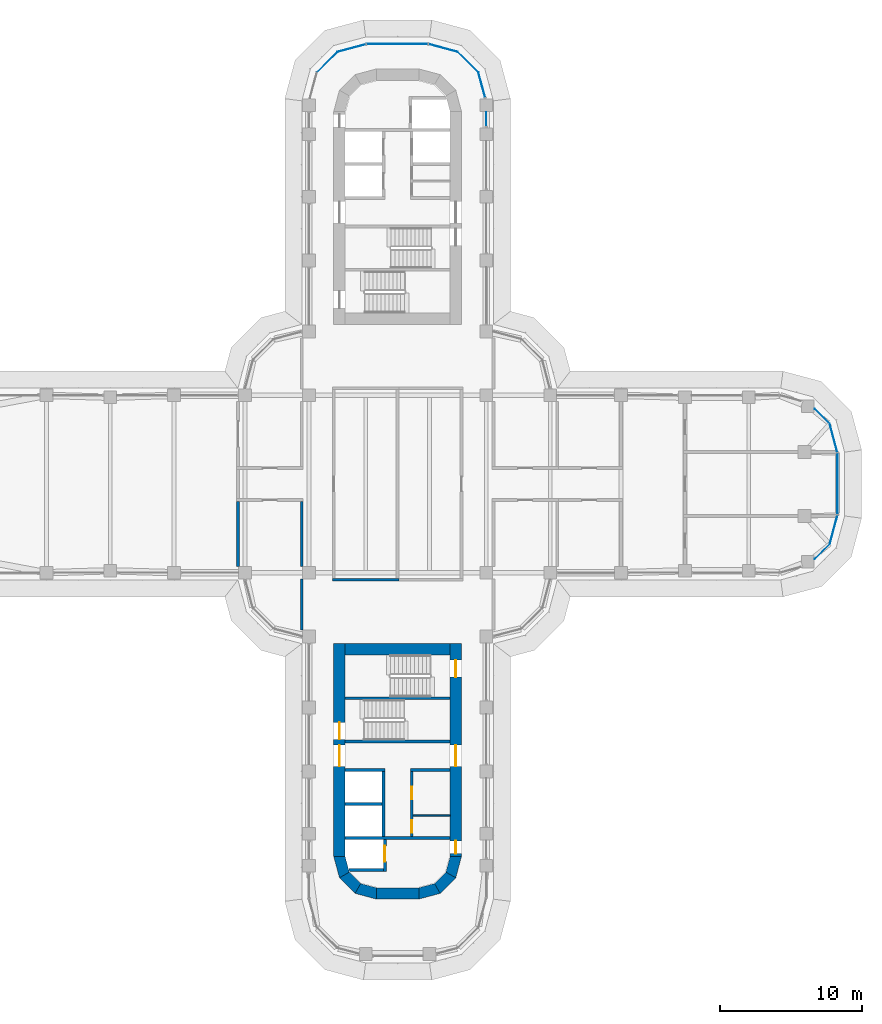
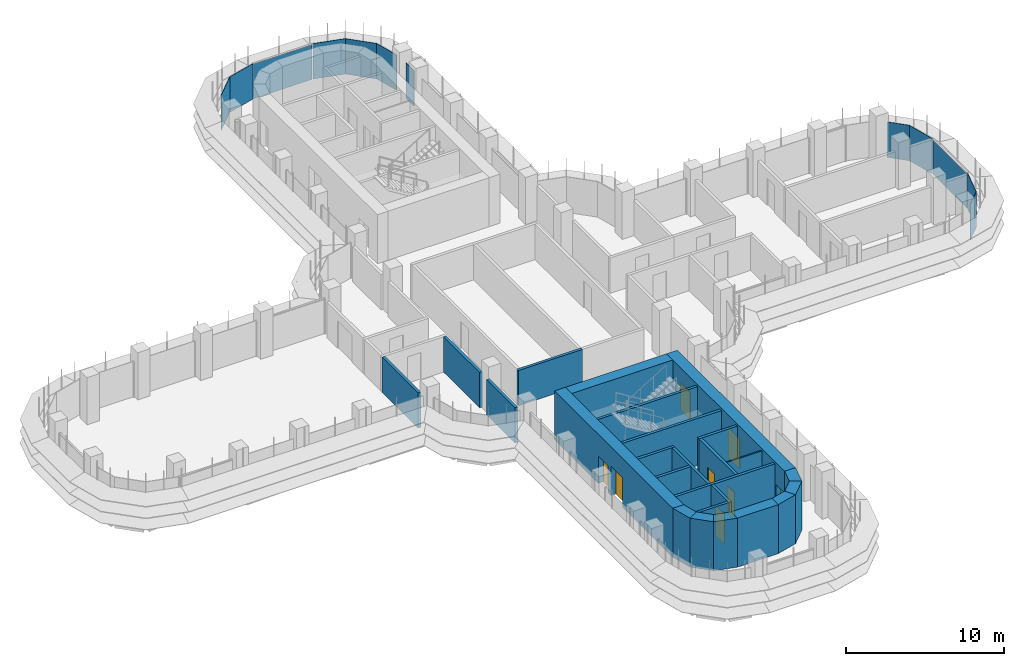
# One storey, part 15 of 21: 25 walls, 12 plates, 8 doors, 8 openings, 12 elements without a shape of their own.
"""IFC4 building model written with IfcOpenShell, lengths in metres."""

from ifc_helpers import new_model, si_unit, direction, frame, frame_2d, origin, place, context, subcontext, project, spatial, polyline, rectangle, outline, extrude, source, transform, mapped, material, layer, layer_set, type_object, element, fill, aggregate, save


model = new_model("IFC4")

# Units and contexts
model_context = context("Model", 3, precision=1e-05, world=origin(), true_north=direction((0.0, 1.0)))
body_context = subcontext(model_context, "Body", "Model", "MODEL_VIEW")
ifc_project = project(units=[si_unit("LENGTHUNIT", "METRE"), si_unit("AREAUNIT", "SQUARE_METRE"), si_unit("VOLUMEUNIT", "CUBIC_METRE"), si_unit("PLANEANGLEUNIT", "RADIAN"), si_unit("MASSUNIT", "GRAM", prefix="KILO")], contexts=[model_context])

# Site, building, storey
site_placement = place(None, origin())
site = spatial("IfcSite", under=ifc_project, at=site_placement, CompositionType="ELEMENT")
building_placement = place(site_placement, origin())
building = spatial("IfcBuilding", under=site, at=building_placement, Name="Zarbagh Exchange Tower", CompositionType="ELEMENT")
storey_placement = place(building_placement, frame((0.0, 0.0, 128.39990234375)))
storey = spatial("IfcBuildingStorey", under=building, at=storey_placement, Name="L30", CompositionType="ELEMENT", Elevation=128.39990234375)

# Curtain wall, plate
ifc_material_1 = material(Name="Anodised aluminium frame and glazing", Category="aluminium")
curtain_wall_type = type_object("IfcCurtainWallType", Name="CWA Ribbon glazing, lower zones", PredefinedType="NOTDEFINED", material=ifc_material_1)
curtain_wall_1_placement = place(storey_placement, origin())
curtain_wall_1 = element("IfcCurtainWall", 1, at=curtain_wall_1_placement, inside=storey, type_object=curtain_wall_type, Name="CWA51 curtain wall", PredefinedType="NOTDEFINED")
ifc_material_2 = material(Name="Low-e double glazed unit, 6+12+6 mm")
ifc_layer_1 = layer(ifc_material_2, 0.028076171875)
ifc_layer_set_1 = layer_set([ifc_layer_1], Name="PAA Glazing panel, Low-e double glazed unit, 6+12+6 mm")
plate_type = type_object("IfcPlateType", Name="PAA Glazing panel, Low-e double glazed unit, 6+12+6 mm", PredefinedType="CURTAIN_PANEL", material=ifc_layer_set_1)
shared_shape_1 = source(origin(), body_context, "Body", "SweptSolid", [
    extrude(outline(polyline([(0.0, -0.013916015625), (2.061279296875, -0.013916015625), (2.061279296875, 0.013916015625), (0.0, 0.013916015625), (0.0, -0.013916015625)])), origin(), (0.0, 0.0, 1.0), 2.75),
])
placement = place(storey_placement, origin())
plate_1 = element("IfcPlate", 2, at=placement, type_object=plate_type, Name="CWA51 glazing panel 1.1", PredefinedType="CURTAIN_PANEL", context=body_context, shape_type="MappedRepresentation", body=[
    mapped(shared_shape_1, transform((5.69873046875, 28.9912109375, 0.0), x_axis=(-0.707106781187, 0.707106781187, 0.0), y_axis=(-0.707106781187, -0.707106781187, 0.0), z_axis=(0.0, 0.0, 1.0))),
])
aggregate(curtain_wall_1, [plate_1])

curtain_wall_2_placement = place(storey_placement, origin())
curtain_wall_2 = element("IfcCurtainWall", 3, at=curtain_wall_2_placement, inside=storey, type_object=curtain_wall_type, Name="CWA54 curtain wall", PredefinedType="NOTDEFINED")
plate_2 = element("IfcPlate", 4, at=placement, type_object=plate_type, Name="CWA54 glazing panel 1.1", PredefinedType="CURTAIN_PANEL", context=body_context, shape_type="MappedRepresentation", body=[
    mapped(shared_shape_1, transform((-4.2412109375, 30.44873046875, 0.0), x_axis=(-0.707106781187, -0.707106781187, 0.0), y_axis=(0.707106781187, -0.707106781187, 0.0), z_axis=(0.0, 0.0, 1.0))),
])
aggregate(curtain_wall_2, [plate_2])

curtain_wall_3_placement = place(storey_placement, origin())
curtain_wall_3 = element("IfcCurtainWall", 5, at=curtain_wall_3_placement, inside=storey, type_object=curtain_wall_type, Name="CWA61 curtain wall", PredefinedType="NOTDEFINED")
shared_shape_2 = source(origin(), body_context, "Body", "SweptSolid", [
    extrude(outline(polyline([(0.0, -0.013916015625), (2.129638671875, -0.013916015625), (2.129638671875, 0.013916015625), (0.0, 0.013916015625), (0.0, -0.013916015625)])), origin(), (0.0, 0.0, 1.0), 2.75),
])
plate_3 = element("IfcPlate", 6, at=placement, type_object=plate_type, Name="CWA61 glazing panel 1.1", PredefinedType="CURTAIN_PANEL", context=body_context, shape_type="MappedRepresentation", body=[
    mapped(shared_shape_2, transform((30.44873046875, -4.2412109375, 0.0), x_axis=(0.258824779902, 0.965924289636, 0.0), y_axis=(-0.965924289636, 0.258824779902, 0.0), z_axis=(0.0, 0.0, 1.0))),
])
aggregate(curtain_wall_3, [plate_3])

curtain_wall_4_placement = place(storey_placement, origin())
curtain_wall_4 = element("IfcCurtainWall", 7, at=curtain_wall_4_placement, inside=storey, type_object=curtain_wall_type, Name="CWA52 curtain wall", PredefinedType="NOTDEFINED")
plate_4 = element("IfcPlate", 8, at=placement, type_object=plate_type, Name="CWA52 glazing panel 1.1", PredefinedType="CURTAIN_PANEL", context=body_context, shape_type="MappedRepresentation", body=[
    mapped(shared_shape_2, transform((4.2412109375, 30.44873046875, 0.0), x_axis=(-0.965924289636, 0.258824779902, 0.0), y_axis=(-0.258824779902, -0.965924289636, 0.0), z_axis=(0.0, 0.0, 1.0))),
])
aggregate(curtain_wall_4, [plate_4])

curtain_wall_5_placement = place(storey_placement, origin())
curtain_wall_5 = element("IfcCurtainWall", 9, at=curtain_wall_5_placement, inside=storey, type_object=curtain_wall_type, Name="CWA62 curtain wall", PredefinedType="NOTDEFINED")
shared_shape_3 = source(origin(), body_context, "Body", "SweptSolid", [
    extrude(outline(polyline([(0.0, -0.013916015625), (2.069580078125, -0.013916015625), (2.069580078125, 0.013916015625), (0.0, 0.013916015625), (0.0, -0.013916015625)])), origin(), (0.0, 0.0, 1.0), 2.75),
])
plate_5 = element("IfcPlate", 10, at=placement, type_object=plate_type, Name="CWA62 glazing panel 1.1", PredefinedType="CURTAIN_PANEL", context=body_context, shape_type="MappedRepresentation", body=[
    mapped(shared_shape_3, transform((30.984375, 2.2421875, 0.0), x_axis=(-0.258824779902, 0.965924289636, 0.0), y_axis=(-0.965924289636, -0.258824779902, 0.0), z_axis=(0.0, 0.0, 1.0))),
])
aggregate(curtain_wall_5, [plate_5])

curtain_wall_6_placement = place(storey_placement, origin())
curtain_wall_6 = element("IfcCurtainWall", 11, at=curtain_wall_6_placement, inside=storey, type_object=curtain_wall_type, Name="CWA53 curtain wall", PredefinedType="NOTDEFINED")
plate_6 = element("IfcPlate", 12, at=placement, type_object=plate_type, Name="CWA53 glazing panel 1.1", PredefinedType="CURTAIN_PANEL", context=body_context, shape_type="MappedRepresentation", body=[
    mapped(shared_shape_3, transform((-2.2421875, 30.984375, 0.0), x_axis=(-0.965924289636, -0.258824779902, 0.0), y_axis=(0.258824779902, -0.965924289636, 0.0), z_axis=(0.0, 0.0, 1.0))),
])
aggregate(curtain_wall_6, [plate_6])

curtain_wall_7_placement = place(storey_placement, origin())
curtain_wall_7 = element("IfcCurtainWall", 13, at=curtain_wall_7_placement, inside=storey, type_object=curtain_wall_type, Name="CWA49 curtain wall", PredefinedType="NOTDEFINED")
shared_shape_4 = source(origin(), body_context, "Body", "SweptSolid", [
    extrude(outline(polyline([(0.0, -0.013916015625), (1.010009765625, -0.013916015625), (1.010009765625, 0.013916015625), (0.0, 0.013916015625), (0.0, -0.013916015625)])), origin(), (0.0, 0.0, 1.0), 2.75),
])
plate_7 = element("IfcPlate", 14, at=placement, type_object=plate_type, Name="CWA49 glazing panel 4.1", PredefinedType="CURTAIN_PANEL", context=body_context, shape_type="MappedRepresentation", body=[
    mapped(shared_shape_4, transform((6.25, 25.199951171875, 0.0), x_axis=(0.0, 1.0, 0.0), y_axis=(-1.0, 0.0, 0.0), z_axis=(0.0, 0.0, 1.0))),
])
aggregate(curtain_wall_7, [plate_7])

curtain_wall_8_placement = place(storey_placement, origin())
curtain_wall_8 = element("IfcCurtainWall", 15, at=curtain_wall_8_placement, inside=storey, type_object=curtain_wall_type, Name="CWA50 curtain wall", PredefinedType="NOTDEFINED")
shared_shape_5 = source(origin(), body_context, "Body", "SweptSolid", [
    extrude(outline(polyline([(0.0, -0.013916015625), (1.8046875, -0.013916015625), (1.8046875, 0.013916015625), (0.0, 0.013916015625), (0.0, -0.013916015625)])), origin(), (0.0, 0.0, 1.0), 2.75),
])
plate_8 = element("IfcPlate", 16, at=placement, type_object=plate_type, Name="CWA50 glazing panel 1.1", PredefinedType="CURTAIN_PANEL", context=body_context, shape_type="MappedRepresentation", body=[
    mapped(shared_shape_5, transform((6.166015625, 27.248046875, 0.0), x_axis=(-0.258824779902, 0.965924289636, 0.0), y_axis=(-0.965924289636, -0.258824779902, 0.0), z_axis=(0.0, 0.0, 1.0))),
])
aggregate(curtain_wall_8, [plate_8])

curtain_wall_9_placement = place(storey_placement, origin())
curtain_wall_9 = element("IfcCurtainWall", 17, at=curtain_wall_9_placement, inside=storey, type_object=curtain_wall_type, Name="CWA66 curtain wall", PredefinedType="NOTDEFINED")
shared_shape_6 = source(origin(), body_context, "Body", "SweptSolid", [
    extrude(outline(polyline([(0.0, -0.013916015625), (4.308349609375, -0.013916015625), (4.308349609375, 0.013916015625), (0.0, 0.013916015625), (0.0, -0.013916015625)])), origin(), (0.0, 0.0, 1.0), 2.68994140625),
])
plate_9 = element("IfcPlate", 18, at=placement, type_object=plate_type, Name="CWA66 glazing panel 1.1", PredefinedType="CURTAIN_PANEL", context=body_context, shape_type="MappedRepresentation", body=[
    mapped(shared_shape_6, transform((31.0, -2.124267578125, 0.0), x_axis=(0.0, 1.0, 0.0), y_axis=(-1.0, 0.0, 0.0), z_axis=(0.0, 0.0, 1.0))),
])
aggregate(curtain_wall_9, [plate_9])

curtain_wall_10_placement = place(storey_placement, origin())
curtain_wall_10 = element("IfcCurtainWall", 19, at=curtain_wall_10_placement, inside=storey, type_object=curtain_wall_type, Name="CWA57 curtain wall", PredefinedType="NOTDEFINED")
plate_10 = element("IfcPlate", 20, at=placement, type_object=plate_type, Name="CWA57 glazing panel 1.1", PredefinedType="CURTAIN_PANEL", context=body_context, shape_type="MappedRepresentation", body=[
    mapped(shared_shape_6, transform((2.124267578125, 31.0, 0.0), x_axis=(-1.0, 0.0, 0.0), y_axis=(0.0, -1.0, 0.0), z_axis=(0.0, 0.0, 1.0))),
])
aggregate(curtain_wall_10, [plate_10])

curtain_wall_11_placement = place(storey_placement, origin())
curtain_wall_11 = element("IfcCurtainWall", 21, at=curtain_wall_11_placement, inside=storey, type_object=curtain_wall_type, Name="CWA60 curtain wall", PredefinedType="NOTDEFINED")
shared_shape_7 = source(origin(), body_context, "Body", "SweptSolid", [
    extrude(outline(polyline([(0.0, -0.013916015625), (1.486083984375, -0.013916015625), (1.486083984375, 0.013916015625), (0.0, 0.013916015625), (0.0, -0.013916015625)])), origin(), (0.0, 0.0, 1.0), 2.75),
])
plate_11 = element("IfcPlate", 22, at=placement, type_object=plate_type, Name="CWA60 glazing panel 1.1", PredefinedType="CURTAIN_PANEL", context=body_context, shape_type="MappedRepresentation", body=[
    mapped(shared_shape_7, transform((29.39794921875, -5.2919921875, 0.0), x_axis=(0.707106781187, 0.707106781187, 0.0), y_axis=(-0.707106781187, 0.707106781187, 0.0), z_axis=(0.0, 0.0, 1.0))),
])
aggregate(curtain_wall_11, [plate_11])

curtain_wall_12_placement = place(storey_placement, origin())
curtain_wall_12 = element("IfcCurtainWall", 23, at=curtain_wall_12_placement, inside=storey, type_object=curtain_wall_type, Name="CWA63 curtain wall", PredefinedType="NOTDEFINED")
plate_12 = element("IfcPlate", 24, at=placement, type_object=plate_type, Name="CWA63 glazing panel 1.1", PredefinedType="CURTAIN_PANEL", context=body_context, shape_type="MappedRepresentation", body=[
    mapped(shared_shape_7, transform((30.44873046875, 4.2412109375, 0.0), x_axis=(-0.707106781187, 0.707106781187, 0.0), y_axis=(-0.707106781187, -0.707106781187, 0.0), z_axis=(0.0, 0.0, 1.0))),
])
aggregate(curtain_wall_12, [plate_12])

# Walls
ifc_material_3 = material(Name="Dense blockwork", Category="masonry")
ifc_layer_2 = layer(ifc_material_3, 0.10009765625)
ifc_layer_set_2 = layer_set([ifc_layer_2], Name="Core partition 100 mm blockwork")
wall_type_1 = type_object("IfcWallType", Name="Core partition 100 mm blockwork", PredefinedType="PARTITIONING", material=ifc_layer_set_2)
wall_1_placement = place(storey_placement, frame((3.699951171875, -23.35009765625, 0.0), z_axis=(0.0, 0.0, 1.0), x_axis=(-1.0, 0.0, 0.0)))
element("IfcWall", 25, at=wall_1_placement, inside=storey, type_object=wall_type_1, Name="South core partition wall CUT-W-500", PredefinedType="PARTITIONING", context=body_context, shape_type="SweptSolid", body=[
    extrude(rectangle(XDim=2.599853515625, YDim=0.10009765625, at=frame_2d((1.2998046875, 0.0))), origin(), (0.0, 0.0, 1.0), 3.650146484375),
])
ifc_material_4 = material(Name="Fire-rated plasterboard partition")
ifc_layer_3 = layer(ifc_material_4, 0.199951171875)
ifc_layer_set_3 = layer_set([ifc_layer_3], Name="RATED PARTITION 200")
wall_type_2 = type_object("IfcWallType", Name="RATED PARTITION 200", PredefinedType="PARTITIONING", material=ifc_layer_set_3)
wall_2_placement = place(storey_placement, frame((-6.75, -10.300048828125, 0.0), z_axis=(0.0, 0.0, 1.0), x_axis=(0.0, 1.0, 0.0)))
element("IfcWall", 26, at=wall_2_placement, inside=storey, type_object=wall_type_2, Name="Partition W-1204", PredefinedType="PARTITIONING", context=body_context, shape_type="SweptSolid", body=[
    extrude(rectangle(XDim=3.60009765625, YDim=0.199951171875, at=frame_2d((1.800048828125, 0.0))), origin(), (0.0, 0.0, 1.0), 2.73828125),
])
wall_3_placement = place(storey_placement, frame((-6.75, -5.800048828125, 0.0), z_axis=(0.0, 0.0, 1.0), x_axis=(0.0, 1.0, 0.0)))
element("IfcWall", 27, at=wall_3_placement, inside=storey, type_object=wall_type_2, Name="Partition W-1205", PredefinedType="PARTITIONING", context=body_context, shape_type="SweptSolid", body=[
    extrude(rectangle(XDim=4.574951171875, YDim=0.199951171875, at=frame_2d((2.28759765625, 0.0))), origin(), (0.0, 0.0, 1.0), 2.73828125),
])
wall_4_placement = place(storey_placement, frame((-4.60009765625, -6.75, 0.0), z_axis=(0.0, 0.0, 1.0), x_axis=(1.0, 0.0, 0.0)))
element("IfcWall", 28, at=wall_4_placement, inside=storey, type_object=wall_type_2, Name="Partition W-1213", PredefinedType="PARTITIONING", context=body_context, shape_type="SweptSolid", body=[
    extrude(rectangle(XDim=4.7001953125, YDim=0.199951171875, at=frame_2d((2.35009765625, 0.0))), origin(), (0.0, 0.0, 1.0), 2.73828125),
])
wall_5_placement = place(storey_placement, frame((-11.25, -5.800048828125, 0.0), z_axis=(0.0, 0.0, 1.0), x_axis=(0.0, 1.0, 0.0)))
element("IfcWall", 29, at=wall_5_placement, inside=storey, type_object=wall_type_2, Name="Partition W-1235", PredefinedType="PARTITIONING", context=body_context, shape_type="SweptSolid", body=[
    extrude(rectangle(XDim=4.574951171875, YDim=0.199951171875, at=frame_2d((2.28759765625, 0.0))), origin(), (0.0, 0.0, 1.0), 2.73828125),
])
ifc_material_5 = material(Name="Concrete C60/75", Category="concrete")
ifc_layer_4 = layer(ifc_material_5, 0.800048828125)
ifc_layer_set_4 = layer_set([ifc_layer_4], Name="RC core corner wall 800 C60/75")
wall_type_3 = type_object("IfcWallType", Name="RC core corner wall 800 C60/75", PredefinedType="SHEAR", material=ifc_layer_set_4)
wall_6_placement = place(storey_placement, origin())
element("IfcWall", 30, at=wall_6_placement, inside=storey, type_object=wall_type_3, Name="CW4 core S corner W", PredefinedType="SHEAR", context=body_context, shape_type="SweptSolid", body=[
    extrude(outline(polyline([(-4.5, -26.25), (-4.09814453125, -27.75), (-3.4052734375, -27.35009765625), (-3.699951171875, -26.25), (-4.5, -26.25)])), origin(), (0.0, 0.0, 1.0), 3.800048828125),
])
wall_7_placement = place(storey_placement, origin())
element("IfcWall", 31, at=wall_7_placement, inside=storey, type_object=wall_type_3, Name="CW4 core S corner W", PredefinedType="SHEAR", context=body_context, shape_type="SweptSolid", body=[
    extrude(outline(polyline([(-4.09814453125, -27.75), (-3.0, -28.84814453125), (-2.60009765625, -28.1552734375), (-3.4052734375, -27.35009765625), (-4.09814453125, -27.75)])), origin(), (0.0, 0.0, 1.0), 3.800048828125),
])
wall_8_placement = place(storey_placement, origin())
element("IfcWall", 32, at=wall_8_placement, inside=storey, type_object=wall_type_3, Name="CW4 core S corner W", PredefinedType="SHEAR", context=body_context, shape_type="SweptSolid", body=[
    extrude(outline(polyline([(-3.0, -28.84814453125), (-1.5, -29.25), (-1.5, -28.449951171875), (-2.60009765625, -28.1552734375), (-3.0, -28.84814453125)])), origin(), (0.0, 0.0, 1.0), 3.800048828125),
])
wall_9_placement = place(storey_placement, origin())
element("IfcWall", 33, at=wall_9_placement, inside=storey, type_object=wall_type_3, Name="CW4 core S corner E", PredefinedType="SHEAR", context=body_context, shape_type="SweptSolid", body=[
    extrude(outline(polyline([(4.5, -26.25), (4.09814453125, -27.75), (3.4052734375, -27.35009765625), (3.699951171875, -26.25), (4.5, -26.25)])), origin(), (0.0, 0.0, 1.0), 3.800048828125),
])
wall_10_placement = place(storey_placement, origin())
element("IfcWall", 34, at=wall_10_placement, inside=storey, type_object=wall_type_3, Name="CW4 core S corner E", PredefinedType="SHEAR", context=body_context, shape_type="SweptSolid", body=[
    extrude(outline(polyline([(4.09814453125, -27.75), (3.0, -28.84814453125), (2.60009765625, -28.1552734375), (3.4052734375, -27.35009765625), (4.09814453125, -27.75)])), origin(), (0.0, 0.0, 1.0), 3.800048828125),
])
wall_11_placement = place(storey_placement, origin())
element("IfcWall", 35, at=wall_11_placement, inside=storey, type_object=wall_type_3, Name="CW4 core S corner E", PredefinedType="SHEAR", context=body_context, shape_type="SweptSolid", body=[
    extrude(outline(polyline([(3.0, -28.84814453125), (1.5, -29.25), (1.5, -28.449951171875), (2.60009765625, -28.1552734375), (3.0, -28.84814453125)])), origin(), (0.0, 0.0, 1.0), 3.800048828125),
])

# Wall, openings, doors
ifc_layer_5 = layer(ifc_material_5, 0.800048828125)
ifc_layer_set_5 = layer_set([ifc_layer_5], Name="RC core wall 800 C60/75")
wall_type_4 = type_object("IfcWallType", Name="RC core wall 800 C60/75", PredefinedType="SHEAR", material=ifc_layer_set_5)
wall_12_placement = place(storey_placement, frame((-4.10009765625, -11.25, 0.0), z_axis=(0.0, 0.0, 1.0), x_axis=(0.0, -1.0, 0.0)))
wall_12 = element("IfcWall", 36, at=wall_12_placement, inside=storey, type_object=wall_type_4, Name="CW3 core S W", PredefinedType="SHEAR", context=body_context, shape_type="SweptSolid", body=[
    extrude(rectangle(XDim=15.0, YDim=0.800048828125, at=frame_2d((7.5, 0.0))), origin(), (0.0, 0.0, 1.0), 3.800048828125),
])
opening_1_placement = place(wall_12_placement, frame((7.14990234375, 0.0, 0.0)))
opening_1 = element("IfcOpeningElement", 37, at=opening_1_placement, cuts=wall_12, Name="Opening CD1-1500", PredefinedType="OPENING", context=body_context, shape_type="SweptSolid", body=[
    extrude(rectangle(XDim=1.5, YDim=2.300048828125, at=frame_2d((0.75, 1.14990234375))), frame((0.0, 0.409912109375, 0.0), z_axis=(0.0, -1.0, 0.0), x_axis=(1.0, 0.0, 0.0)), (0.0, 0.0, 1.0), 0.820068359375),
])
opening_2_placement = place(wall_12_placement, frame((5.550048828125, 0.0, 0.0)))
opening_2 = element("IfcOpeningElement", 38, at=opening_2_placement, cuts=wall_12, Name="Opening SD1-1200", PredefinedType="OPENING", context=body_context, shape_type="SweptSolid", body=[
    extrude(rectangle(XDim=1.199951171875, YDim=2.10009765625, at=frame_2d((0.60009765625, 1.050048828125))), frame((0.0, 0.409912109375, 0.0), z_axis=(0.0, -1.0, 0.0), x_axis=(1.0, 0.0, 0.0)), (0.0, 0.0, 1.0), 0.820068359375),
])
ifc_material_6 = material(Name="Steel", Category="steel")
door_type_1 = type_object("IfcDoorType", Name="Exit stair door 1200 x 2100", OperationType="NOTDEFINED", PredefinedType="DOOR", material=ifc_material_6)
door_1_placement = place(opening_2_placement, origin())
door_1 = element("IfcDoor", 39, at=door_1_placement, inside=storey, type_object=door_type_1, Name="South core stair door ST1", OperationType="SINGLE_SWING_LEFT", OverallHeight=2.10009765625, OverallWidth=1.199951171875, PredefinedType="DOOR", context=body_context, shape_type="SweptSolid", body=[
    extrude(rectangle(XDim=1.199951171875, YDim=2.10009765625, at=frame_2d((0.60009765625, 1.050048828125))), frame((0.0, 0.02490234375, 0.0), z_axis=(0.0, -1.0, 0.0), x_axis=(1.0, 0.0, 0.0)), (0.0, 0.0, 1.0), 0.050048828125),
])
fill(opening_2, door_1)
door_type_2 = type_object("IfcDoorType", Name="Lift lobby double door 1500 x 2300", OperationType="NOTDEFINED", PredefinedType="DOOR", material=ifc_material_6)
door_2_placement = place(opening_1_placement, origin())
door_2 = element("IfcDoor", 40, at=door_2_placement, inside=storey, type_object=door_type_2, Name="South core lift lobby door LOBBY-E", OperationType="DOUBLE_DOOR_SINGLE_SWING", OverallHeight=2.300048828125, OverallWidth=1.5, PredefinedType="DOOR", context=body_context, shape_type="SweptSolid", body=[
    extrude(rectangle(XDim=1.5, YDim=2.300048828125, at=frame_2d((0.75, 1.14990234375))), frame((0.0, 0.02490234375, 0.0), z_axis=(0.0, -1.0, 0.0), x_axis=(1.0, 0.0, 0.0)), (0.0, 0.0, 1.0), 0.050048828125),
])
fill(opening_1, door_2)

wall_13_placement = place(storey_placement, frame((4.10009765625, -11.25, 0.0), z_axis=(0.0, 0.0, 1.0), x_axis=(0.0, -1.0, 0.0)))
wall_13 = element("IfcWall", 41, at=wall_13_placement, inside=storey, type_object=wall_type_4, Name="CW3 core S E", PredefinedType="SHEAR", context=body_context, shape_type="SweptSolid", body=[
    extrude(rectangle(XDim=15.0, YDim=0.800048828125, at=frame_2d((7.5, 0.0))), origin(), (0.0, 0.0, 1.0), 3.800048828125),
])
opening_3_placement = place(wall_13_placement, frame((7.14990234375, 0.0, 0.0)))
opening_3 = element("IfcOpeningElement", 42, at=opening_3_placement, cuts=wall_13, Name="Opening CD1-1500", PredefinedType="OPENING", context=body_context, shape_type="SweptSolid", body=[
    extrude(rectangle(XDim=1.5, YDim=2.300048828125, at=frame_2d((0.75, 1.14990234375))), frame((0.0, 0.409912109375, 0.0), z_axis=(0.0, -1.0, 0.0), x_axis=(1.0, 0.0, 0.0)), (0.0, 0.0, 1.0), 0.820068359375),
])
opening_4_placement = place(wall_13_placement, frame((13.89990234375, 0.0, 0.0)))
opening_4 = element("IfcOpeningElement", 43, at=opening_4_placement, cuts=wall_13, Name="Opening CD2-900", PredefinedType="OPENING", context=body_context, shape_type="SweptSolid", body=[
    extrude(rectangle(XDim=0.89990234375, YDim=2.10009765625, at=frame_2d((0.449951171875, 1.050048828125))), frame((0.0, 0.409912109375, 0.0), z_axis=(0.0, -1.0, 0.0), x_axis=(1.0, 0.0, 0.0)), (0.0, 0.0, 1.0), 0.820068359375),
])
opening_5_placement = place(wall_13_placement, frame((1.14990234375, 0.0, 0.0)))
opening_5 = element("IfcOpeningElement", 44, at=opening_5_placement, cuts=wall_13, Name="Opening SD1-1200", PredefinedType="OPENING", context=body_context, shape_type="SweptSolid", body=[
    extrude(rectangle(XDim=1.199951171875, YDim=2.10009765625, at=frame_2d((0.60009765625, 1.050048828125))), frame((0.0, 0.409912109375, 0.0), z_axis=(0.0, -1.0, 0.0), x_axis=(1.0, 0.0, 0.0)), (0.0, 0.0, 1.0), 0.820068359375),
])
door_3_placement = place(opening_5_placement, origin())
door_3 = element("IfcDoor", 45, at=door_3_placement, inside=storey, type_object=door_type_1, Name="South core stair door ST2", OperationType="SINGLE_SWING_LEFT", OverallHeight=2.10009765625, OverallWidth=1.199951171875, PredefinedType="DOOR", context=body_context, shape_type="SweptSolid", body=[
    extrude(rectangle(XDim=1.199951171875, YDim=2.10009765625, at=frame_2d((0.60009765625, 1.050048828125))), frame((0.0, 0.02490234375, 0.0), z_axis=(0.0, -1.0, 0.0), x_axis=(1.0, 0.0, 0.0)), (0.0, 0.0, 1.0), 0.050048828125),
])
fill(opening_5, door_3)
door_type_3 = type_object("IfcDoorType", Name="Firefighting lobby door 900 x 2100", OperationType="NOTDEFINED", PredefinedType="DOOR", material=ifc_material_6)
door_4_placement = place(opening_4_placement, origin())
door_4 = element("IfcDoor", 46, at=door_4_placement, inside=storey, type_object=door_type_3, Name="South core firefighting lobby door FF-W", OperationType="SINGLE_SWING_LEFT", OverallHeight=2.10009765625, OverallWidth=0.89990234375, PredefinedType="DOOR", context=body_context, shape_type="SweptSolid", body=[
    extrude(rectangle(XDim=0.89990234375, YDim=2.10009765625, at=frame_2d((0.449951171875, 1.050048828125))), frame((0.0, 0.02490234375, 0.0), z_axis=(0.0, -1.0, 0.0), x_axis=(1.0, 0.0, 0.0)), (0.0, 0.0, 1.0), 0.050048828125),
])
fill(opening_4, door_4)
door_5_placement = place(opening_3_placement, origin())
door_5 = element("IfcDoor", 47, at=door_5_placement, inside=storey, type_object=door_type_2, Name="South core lift lobby door LOBBY-W", OperationType="DOUBLE_DOOR_SINGLE_SWING", OverallHeight=2.300048828125, OverallWidth=1.5, PredefinedType="DOOR", context=body_context, shape_type="SweptSolid", body=[
    extrude(rectangle(XDim=1.5, YDim=2.300048828125, at=frame_2d((0.75, 1.14990234375))), frame((0.0, 0.02490234375, 0.0), z_axis=(0.0, -1.0, 0.0), x_axis=(1.0, 0.0, 0.0)), (0.0, 0.0, 1.0), 0.050048828125),
])
fill(opening_3, door_5)

# Walls
wall_14_placement = place(storey_placement, frame((-3.699951171875, -11.64990234375, 0.0), z_axis=(0.0, 0.0, 1.0), x_axis=(1.0, 0.0, 0.0)))
element("IfcWall", 48, at=wall_14_placement, inside=storey, type_object=wall_type_4, Name="CW3 core S inner end", PredefinedType="SHEAR", context=body_context, shape_type="SweptSolid", body=[
    extrude(rectangle(XDim=7.39990234375, YDim=0.800048828125, at=frame_2d((3.699951171875, 0.0))), origin(), (0.0, 0.0, 1.0), 3.800048828125),
])
wall_15_placement = place(storey_placement, frame((-1.5, -28.85009765625, 0.0), z_axis=(0.0, 0.0, 1.0), x_axis=(1.0, 0.0, 0.0)))
element("IfcWall", 49, at=wall_15_placement, inside=storey, type_object=wall_type_4, Name="CW3 core S outer end", PredefinedType="SHEAR", context=body_context, shape_type="SweptSolid", body=[
    extrude(rectangle(XDim=3.0, YDim=0.800048828125, at=frame_2d((1.5, 0.0))), origin(), (0.0, 0.0, 1.0), 3.800048828125),
])
ifc_layer_6 = layer(ifc_material_3, 0.199951171875)
ifc_layer_set_6 = layer_set([ifc_layer_6], Name="Shaft wall 200 mm blockwork")
wall_type_5 = type_object("IfcWallType", Name="Shaft wall 200 mm blockwork", PredefinedType="PARTITIONING", material=ifc_layer_set_6)
wall_16_placement = place(storey_placement, frame((3.699951171875, -20.14990234375, 0.0), z_axis=(0.0, 0.0, 1.0), x_axis=(-1.0, 0.0, 0.0)))
element("IfcWall", 50, at=wall_16_placement, inside=storey, type_object=wall_type_5, Name="South core shaft wall AB-W", PredefinedType="PARTITIONING", context=body_context, shape_type="SweptSolid", body=[
    extrude(rectangle(XDim=2.800048828125, YDim=0.199951171875, at=frame_2d((1.39990234375, 0.0))), origin(), (0.0, 0.0, 1.0), 3.650146484375),
])

# Wall, openings, doors
wall_17_placement = place(storey_placement, frame((1.0, -24.85009765625, 0.0), z_axis=(0.0, 0.0, 1.0), x_axis=(0.0, 1.0, 0.0)))
wall_17 = element("IfcWall", 51, at=wall_17_placement, inside=storey, type_object=wall_type_5, Name="South core shaft wall LW-W", PredefinedType="PARTITIONING", context=body_context, shape_type="SweptSolid", body=[
    extrude(rectangle(XDim=4.60009765625, YDim=0.199951171875, at=frame_2d((2.300048828125, 0.0))), origin(), (0.0, 0.0, 1.0), 3.650146484375),
])
opening_6_placement = place(wall_17_placement, frame((0.27490234375, 0.0, 0.0)))
opening_6 = element("IfcOpeningElement", 52, at=opening_6_placement, cuts=wall_17, Name="Opening CD3-900", PredefinedType="OPENING", context=body_context, shape_type="SweptSolid", body=[
    extrude(rectangle(XDim=0.89990234375, YDim=2.10009765625, at=frame_2d((0.449951171875, 1.050048828125))), frame((0.0, 0.10986328125, 0.0), z_axis=(0.0, -1.0, 0.0), x_axis=(1.0, 0.0, 0.0)), (0.0, 0.0, 1.0), 0.219970703125),
])
opening_7_placement = place(wall_17_placement, frame((2.625, 0.0, 0.0)))
opening_7 = element("IfcOpeningElement", 53, at=opening_7_placement, cuts=wall_17, Name="Opening CD3-900", PredefinedType="OPENING", context=body_context, shape_type="SweptSolid", body=[
    extrude(rectangle(XDim=0.89990234375, YDim=2.10009765625, at=frame_2d((0.449951171875, 1.050048828125))), frame((0.0, 0.10986328125, 0.0), z_axis=(0.0, -1.0, 0.0), x_axis=(1.0, 0.0, 0.0)), (0.0, 0.0, 1.0), 0.219970703125),
])
door_type_4 = type_object("IfcDoorType", Name="Core room door 900 x 2100", OperationType="NOTDEFINED", PredefinedType="DOOR", material=ifc_material_6)
door_6_placement = place(opening_6_placement, origin())
door_6 = element("IfcDoor", 54, at=door_6_placement, inside=storey, type_object=door_type_4, Name="South core Cleaner's store door RD-W-0", OperationType="SINGLE_SWING_RIGHT", OverallHeight=2.10009765625, OverallWidth=0.89990234375, PredefinedType="DOOR", context=body_context, shape_type="SweptSolid", body=[
    extrude(rectangle(XDim=0.89990234375, YDim=2.10009765625, at=frame_2d((0.449951171875, 1.050048828125))), frame((0.0, 0.02490234375, 0.0), z_axis=(0.0, -1.0, 0.0), x_axis=(1.0, 0.0, 0.0)), (0.0, 0.0, 1.0), 0.050048828125),
])
fill(opening_6, door_6)
door_7_placement = place(opening_7_placement, origin())
door_7 = element("IfcDoor", 55, at=door_7_placement, inside=storey, type_object=door_type_4, Name="South core Accessible WC door RD-W-1", OperationType="SINGLE_SWING_RIGHT", OverallHeight=2.10009765625, OverallWidth=0.89990234375, PredefinedType="DOOR", context=body_context, shape_type="SweptSolid", body=[
    extrude(rectangle(XDim=0.89990234375, YDim=2.10009765625, at=frame_2d((0.449951171875, 1.050048828125))), frame((0.0, 0.02490234375, 0.0), z_axis=(0.0, -1.0, 0.0), x_axis=(1.0, 0.0, 0.0)), (0.0, 0.0, 1.0), 0.050048828125),
])
fill(opening_7, door_7)

# Walls
wall_18_placement = place(storey_placement, frame((-0.89990234375, -20.14990234375, 0.0), z_axis=(0.0, 0.0, 1.0), x_axis=(-1.0, 0.0, 0.0)))
element("IfcWall", 56, at=wall_18_placement, inside=storey, type_object=wall_type_5, Name="South core shaft wall AB-E", PredefinedType="PARTITIONING", context=body_context, shape_type="SweptSolid", body=[
    extrude(rectangle(XDim=2.800048828125, YDim=0.199951171875, at=frame_2d((1.39990234375, 0.0))), origin(), (0.0, 0.0, 1.0), 3.650146484375),
])
wall_19_placement = place(storey_placement, frame((-1.0, -24.85009765625, 0.0), z_axis=(0.0, 0.0, 1.0), x_axis=(0.0, 1.0, 0.0)))
element("IfcWall", 57, at=wall_19_placement, inside=storey, type_object=wall_type_5, Name="South core shaft wall LW-E", PredefinedType="PARTITIONING", context=body_context, shape_type="SweptSolid", body=[
    extrude(rectangle(XDim=4.60009765625, YDim=0.199951171875, at=frame_2d((2.300048828125, 0.0))), origin(), (0.0, 0.0, 1.0), 3.650146484375),
])
wall_20_placement = place(storey_placement, frame((-1.10009765625, -22.550048828125, 0.0), z_axis=(0.0, 0.0, 1.0), x_axis=(-1.0, 0.0, 0.0)))
element("IfcWall", 58, at=wall_20_placement, inside=storey, type_object=wall_type_5, Name="South core shaft wall TR-E", PredefinedType="PARTITIONING", context=body_context, shape_type="SweptSolid", body=[
    extrude(rectangle(XDim=2.599853515625, YDim=0.199951171875, at=frame_2d((1.2998046875, 0.0))), origin(), (0.0, 0.0, 1.0), 3.650146484375),
])
ifc_material_7 = material(Name="Concrete C40/50", Category="concrete")
ifc_layer_7 = layer(ifc_material_7, 0.199951171875)
ifc_layer_set_7 = layer_set([ifc_layer_7], Name="Stair enclosure wall 200 mm RC C40/50")
wall_type_6 = type_object("IfcWallType", Name="Stair enclosure wall 200 mm RC C40/50", PredefinedType="SHEAR", material=ifc_layer_set_7)
wall_21_placement = place(storey_placement, frame((3.699951171875, -24.949951171875, 0.0), z_axis=(0.0, 0.0, 1.0), x_axis=(-1.0, 0.0, 0.0)))
element("IfcWall", 59, at=wall_21_placement, inside=storey, type_object=wall_type_6, Name="South core lift shaft wall FFA", PredefinedType="SHEAR", context=body_context, shape_type="SweptSolid", body=[
    extrude(rectangle(XDim=7.39990234375, YDim=0.199951171875, at=frame_2d((3.699951171875, 0.0))), origin(), (0.0, 0.0, 1.0), 3.650146484375),
])

# Wall, opening, door
wall_22_placement = place(storey_placement, frame((-0.89990234375, -27.300048828125, 0.0), z_axis=(0.0, 0.0, 1.0), x_axis=(0.0, 1.0, 0.0)))
wall_22 = element("IfcWall", 60, at=wall_22_placement, inside=storey, type_object=wall_type_6, Name="South core lift shaft wall FFL", PredefinedType="SHEAR", context=body_context, shape_type="SweptSolid", body=[
    extrude(rectangle(XDim=2.25, YDim=0.199951171875, at=frame_2d((1.125, 0.0))), origin(), (0.0, 0.0, 1.0), 3.650146484375),
])
opening_8_placement = place(wall_22_placement, frame((0.699951171875, 0.0, 0.0)))
opening_8 = element("IfcOpeningElement", 61, at=opening_8_placement, cuts=wall_22, Name="Opening LD-1100", PredefinedType="OPENING", context=body_context, shape_type="SweptSolid", body=[
    extrude(rectangle(XDim=1.10009765625, YDim=2.300048828125, at=frame_2d((0.550048828125, 1.14990234375))), frame((0.0, 0.10986328125, 0.0), z_axis=(0.0, -1.0, 0.0), x_axis=(1.0, 0.0, 0.0)), (0.0, 0.0, 1.0), 0.219970703125),
])
ifc_material_8 = material(Name="Stainless steel", Category="steel")
door_type_5 = type_object("IfcDoorType", Name="Lift landing door 1100 x 2300", OperationType="NOTDEFINED", PredefinedType="DOOR", material=ifc_material_8)
door_8_placement = place(opening_8_placement, origin())
door_8 = element("IfcDoor", 62, at=door_8_placement, inside=storey, type_object=door_type_5, Name="South core lift landing door LD-F", OperationType="DOUBLE_DOOR_SLIDING", OverallHeight=2.300048828125, OverallWidth=1.10009765625, PredefinedType="DOOR", context=body_context, shape_type="SweptSolid", body=[
    extrude(rectangle(XDim=1.10009765625, YDim=2.300048828125, at=frame_2d((0.550048828125, 1.14990234375))), frame((0.0, 0.02490234375, 0.0), z_axis=(0.0, -1.0, 0.0), x_axis=(1.0, 0.0, 0.0)), (0.0, 0.0, 1.0), 0.050048828125),
])
fill(opening_8, door_8)

# Walls
wall_23_placement = place(storey_placement, origin())
element("IfcWall", 63, at=wall_23_placement, inside=storey, type_object=wall_type_6, Name="South core lift shaft wall FFX", PredefinedType="SHEAR", context=body_context, shape_type="SweptSolid", body=[
    extrude(outline(polyline([(-1.0, -27.10009765625), (-3.444091796875, -27.10009765625), (-3.390380859375, -27.300048828125), (-1.0, -27.300048828125), (-1.0, -27.10009765625)])), origin(), (0.0, 0.0, 1.0), 3.650146484375),
])
for number, where, z_axis, x_axis, name in (
    (64, (3.699951171875, -18.14990234375, 0.0), (0.0, 0.0, 1.0), (-1.0, 0.0, 0.0), "South core stair wall BS"),
    (65, (3.699951171875, -15.10009765625, 0.0), (0.0, 0.0, 1.0), (-1.0, 0.0, 0.0), "South core stair wall ST12"),
):
    element("IfcWall", number, at=place(storey_placement, frame(where, z_axis=z_axis, x_axis=x_axis)), inside=storey, type_object=wall_type_6, Name=name, PredefinedType="SHEAR", context=body_context, shape_type="SweptSolid", body=[
        extrude(rectangle(XDim=7.39990234375, YDim=0.199951171875, at=frame_2d((3.699951171875, 0.0))), origin(), (0.0, 0.0, 1.0), 3.650146484375),
    ])

save(model, "model.ifc")
